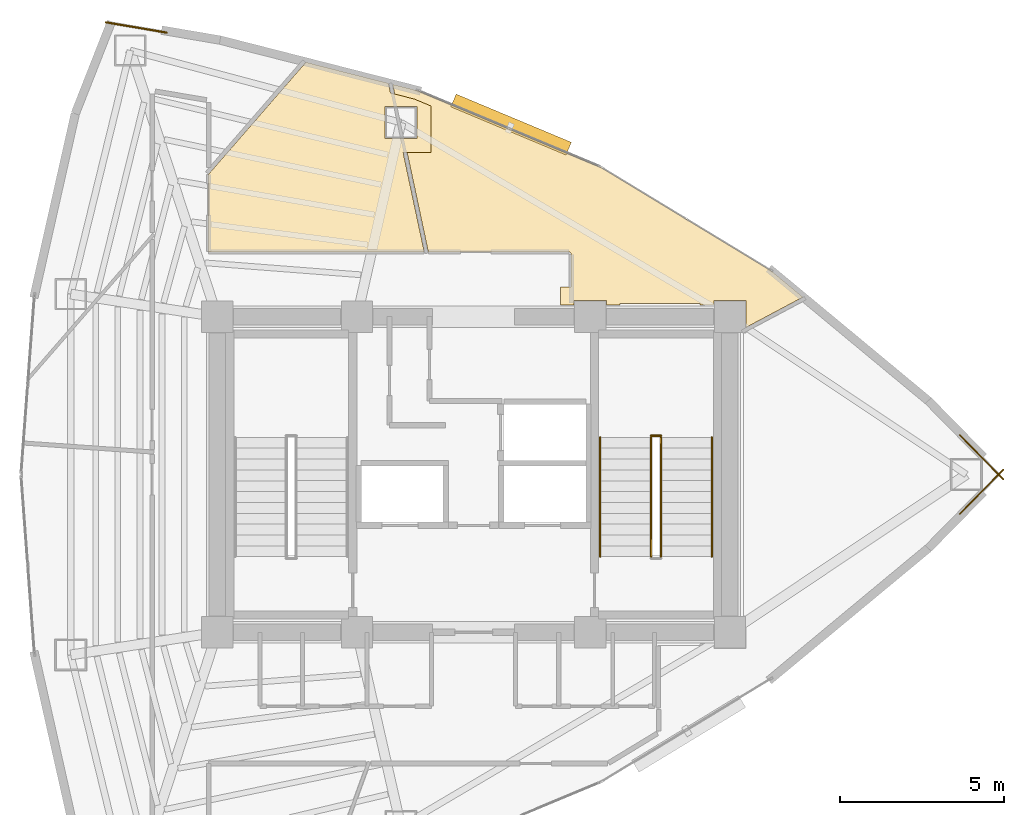
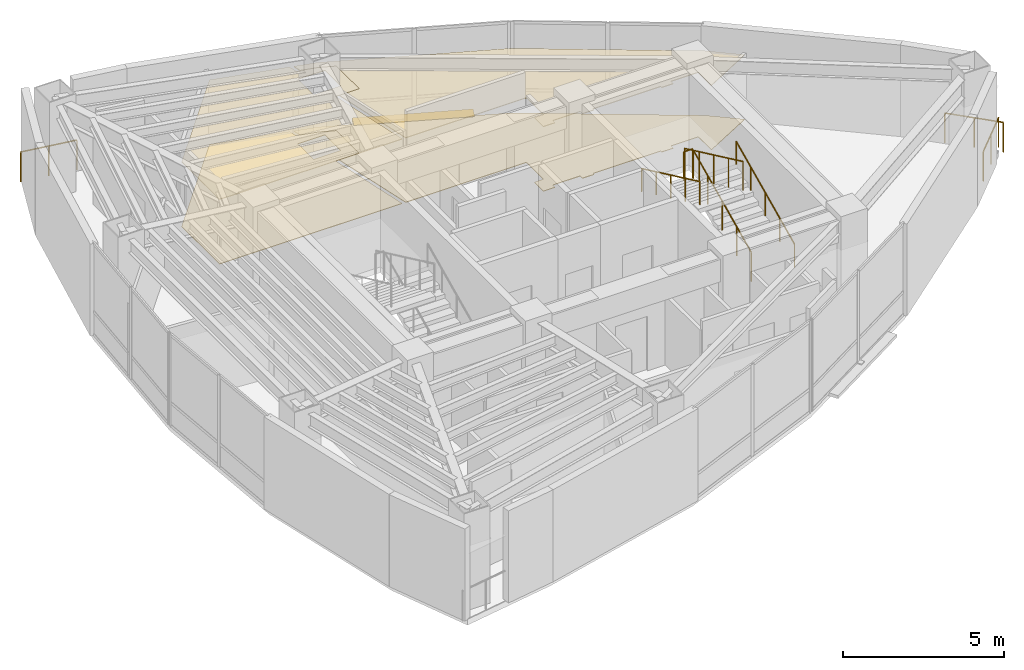
# One storey, part 15 of 15: 8 railings, 4 coverings, 1 shading device.
"""IFC4 building model written with IfcOpenShell, lengths in metres."""

from ifc_helpers import new_model, si_unit, direction, frame, origin, origin_2d, place, context, subcontext, project, spatial, polyline, rectangle, circle, outline, extrude, material, layer, layer_set, type_object, element, save


model = new_model("IFC4")

# Units and contexts
model_context = context("Model", 3, precision=1e-05, world=origin(), true_north=direction((0.0, 1.0)))
body_context = subcontext(model_context, "Body", "Model", "MODEL_VIEW")
ifc_project = project(units=[si_unit("LENGTHUNIT", "METRE"), si_unit("AREAUNIT", "SQUARE_METRE"), si_unit("VOLUMEUNIT", "CUBIC_METRE"), si_unit("PLANEANGLEUNIT", "RADIAN"), si_unit("MASSUNIT", "GRAM", prefix="KILO")], contexts=[model_context])

# Site, building, storey
site_placement = place(None, origin())
site = spatial("IfcSite", under=ifc_project, at=site_placement, CompositionType="ELEMENT")
building_placement = place(site_placement, origin())
building = spatial("IfcBuilding", under=site, at=building_placement, Name="Menara Vayukalpa", CompositionType="ELEMENT")
storey_placement = place(building_placement, frame((0.0, 0.0, 223.260009765625)))
storey = spatial("IfcBuildingStorey", under=building, at=storey_placement, Name="L56", CompositionType="ELEMENT", Elevation=223.260009765625)

# Coverings
ifc_material_1 = material(Name="Mineral Fibre Acoustic Ceiling Tile", Category="masonry")
ifc_layer_1 = layer(ifc_material_1, 0.02490234375)
ifc_layer_set_1 = layer_set([ifc_layer_1], Name="Mineral Fibre Acoustic Ceiling Tile")
covering_type_1 = type_object("IfcCoveringType", Name="COV-CLG1", PredefinedType="CEILING", material=ifc_layer_set_1)
covering_1_placement = place(storey_placement, frame((0.0, 0.0, 2.449951171875)))
element("IfcCovering", 1, at=covering_1_placement, inside=storey, type_object=covering_type_1, Name="L56 Operations Support Office Acoustic Ceiling", PredefinedType="CEILING", context=body_context, shape_type="SweptSolid", body=[
    extrude(outline(polyline([(29.639892578125, 27.14990234375), (29.639892578125, 27.2900390625), (28.659912109375, 27.2900390625), (28.659912109375, 27.14990234375), (28.239990234375, 27.14990234375), (28.239990234375, 27.7099609375), (28.570068359375, 27.7099609375), (28.570068359375, 28.69970703125), (28.569580078125, 28.706787109375), (28.568603515625, 28.713623046875), (28.56689453125, 28.72021484375), (28.564697265625, 28.726806640625), (28.561767578125, 28.73291015625), (28.55810546875, 28.73876953125), (28.553955078125, 28.744384765625), (28.549560546875, 28.74951171875), (28.54443359375, 28.75390625), (28.538818359375, 28.75830078125), (28.532958984375, 28.76171875), (28.52685546875, 28.7646484375), (28.520263671875, 28.76708984375), (28.513671875, 28.768798828125), (28.5068359375, 28.76953125), (28.499755859375, 28.77001953125), (24.23046875, 28.77001953125), (24.2294921875, 28.77001953125), (24.228515625, 28.770263671875), (24.2275390625, 28.7705078125), (24.2265625, 28.770751953125), (24.2255859375, 28.771240234375), (24.224853515625, 28.771728515625), (24.22412109375, 28.772216796875), (24.223388671875, 28.77294921875), (24.22265625, 28.773681640625), (24.22216796875, 28.7744140625), (24.2216796875, 28.775146484375), (24.22119140625, 28.776123046875), (24.220947265625, 28.777099609375), (24.220703125, 28.77783203125), (23.57861328125, 31.79833984375), (22.4794921875, 31.79833984375), (22.4794921875, 33.618408203125), (23.03076171875, 33.618408203125), (23.200927734375, 33.574951171875), (23.1416015625, 33.853759765625), (23.1416015625, 33.854736328125), (23.1416015625, 33.855712890625), (23.1416015625, 33.856689453125), (23.1416015625, 33.857666015625), (23.141845703125, 33.858642578125), (23.14208984375, 33.859619140625), (23.142578125, 33.8603515625), (23.14306640625, 33.861083984375), (23.1435546875, 33.862060546875), (23.144287109375, 33.86279296875), (23.14501953125, 33.86328125), (23.145751953125, 33.864013671875), (23.146484375, 33.864501953125), (23.1474609375, 33.864990234375), (23.148193359375, 33.865478515625), (23.149169921875, 33.865478515625), (23.150146484375, 33.86572265625), (23.151123046875, 33.865966796875), (23.152099609375, 33.865966796875), (23.153076171875, 33.86572265625), (23.154052734375, 33.865478515625), (23.884765625, 33.67919921875), (23.885986328125, 33.6787109375), (29.478515625, 31.33935546875), (29.479248046875, 31.339111328125), (29.47998046875, 31.338623046875), (34.660888671875, 28.19140625), (34.662109375, 28.190673828125), (35.60888671875, 27.405517578125), (35.609619140625, 27.40478515625), (35.6103515625, 27.404052734375), (35.61083984375, 27.4033203125), (35.611328125, 27.40234375), (35.61181640625, 27.401611328125), (35.6123046875, 27.400634765625), (35.6123046875, 27.399658203125), (35.612548828125, 27.398681640625), (35.612548828125, 27.397705078125), (35.612548828125, 27.396728515625), (35.6123046875, 27.395751953125), (35.6123046875, 27.394775390625), (35.61181640625, 27.393798828125), (35.611328125, 27.39306640625), (35.61083984375, 27.39208984375), (35.6103515625, 27.391357421875), (35.609619140625, 27.390625), (35.60888671875, 27.389892578125), (35.608154296875, 27.389404296875), (35.607421875, 27.388916015625), (33.889892578125, 26.475830078125), (33.889892578125, 27.2900390625), (32.909912109375, 27.2900390625), (32.909912109375, 27.14990234375), (32.489990234375, 27.14990234375), (32.489990234375, 27.2099609375), (30.06005859375, 27.2099609375), (30.06005859375, 27.14990234375), (29.639892578125, 27.14990234375)]), holes=[polyline([(23.87939453125, 33.198486328125), (22.8994140625, 33.198486328125), (22.8994140625, 32.218505859375), (23.87939453125, 32.218505859375), (23.87939453125, 33.198486328125)])]), origin(), (0.0, 0.0, 1.0), 0.025146484375),
])
covering_2_placement = place(storey_placement, frame((0.0, 0.0, 2.449951171875)))
element("IfcCovering", 2, at=covering_2_placement, inside=storey, type_object=covering_type_1, Name="L56 Operations Support Office Acoustic Ceiling", PredefinedType="CEILING", context=body_context, shape_type="SweptSolid", body=[
    extrude(outline(polyline([(23.00439453125, 33.903564453125), (23.00537109375, 33.903076171875), (23.006103515625, 33.902587890625), (23.0068359375, 33.902099609375), (23.007568359375, 33.9013671875), (23.008056640625, 33.900634765625), (23.0087890625, 33.89990234375), (23.009033203125, 33.89892578125), (23.009521484375, 33.898193359375), (23.009765625, 33.897216796875), (23.010009765625, 33.896240234375), (23.01025390625, 33.895263671875), (23.0712890625, 33.608154296875), (23.799560546875, 33.42236328125), (24.29931640625, 33.21337890625), (24.29931640625, 31.79833984375), (23.455810546875, 31.79833984375), (24.09716796875, 28.781982421875), (24.09716796875, 28.781005859375), (24.097412109375, 28.780029296875), (24.097412109375, 28.779052734375), (24.09716796875, 28.778076171875), (24.096923828125, 28.777099609375), (24.0966796875, 28.7763671875), (24.09619140625, 28.775390625), (24.095703125, 28.7744140625), (24.09521484375, 28.773681640625), (24.094482421875, 28.77294921875), (24.09375, 28.772216796875), (24.093017578125, 28.771728515625), (24.092041015625, 28.771240234375), (24.09130859375, 28.770751953125), (24.090087890625, 28.7705078125), (24.08935546875, 28.770263671875), (24.08837890625, 28.77001953125), (24.08740234375, 28.77001953125), (17.5400390625, 28.77001953125), (17.5390625, 28.77001953125), (17.5380859375, 28.770263671875), (17.537109375, 28.7705078125), (17.5361328125, 28.770751953125), (17.535400390625, 28.771240234375), (17.534423828125, 28.771728515625), (17.53369140625, 28.772216796875), (17.532958984375, 28.77294921875), (17.5322265625, 28.773681640625), (17.53173828125, 28.7744140625), (17.53125, 28.775390625), (17.53076171875, 28.776123046875), (17.530517578125, 28.777099609375), (17.5302734375, 28.778076171875), (17.530029296875, 28.779052734375), (17.530029296875, 28.780029296875), (17.530029296875, 31.125), (17.530029296875, 31.125732421875), (17.5302734375, 31.126708984375), (17.530517578125, 31.127685546875), (17.53076171875, 31.128662109375), (17.531005859375, 31.12939453125), (17.531494140625, 31.130126953125), (17.531982421875, 31.131103515625), (17.53271484375, 31.131591796875), (17.535400390625, 31.134521484375), (20.492919921875, 34.536865234375), (20.493896484375, 34.537841796875), (20.494384765625, 34.53857421875), (20.4951171875, 34.539306640625), (20.495849609375, 34.539794921875), (20.49658203125, 34.540283203125), (20.49755859375, 34.541015625), (20.498291015625, 34.541259765625), (20.49951171875, 34.54150390625), (20.500244140625, 34.541748046875), (20.501220703125, 34.541748046875), (20.502197265625, 34.541748046875), (20.503173828125, 34.541748046875), (20.504150390625, 34.54150390625), (23.002685546875, 33.904296875), (23.003662109375, 33.90380859375), (23.00439453125, 33.903564453125)]), holes=[polyline([(23.87939453125, 33.198486328125), (22.8994140625, 33.198486328125), (22.8994140625, 32.218505859375), (23.87939453125, 32.218505859375), (23.87939453125, 33.198486328125)])]), origin(), (0.0, 0.0, 1.0), 0.025146484375),
])
ifc_material_2 = material(Name="Porcelain Stoneware Floor Tile", Category="masonry")
ifc_layer_2 = layer(ifc_material_2, 0.02001953125)
ifc_layer_set_2 = layer_set([ifc_layer_2], Name="Porcelain Stoneware Floor Tile")
covering_type_2 = type_object("IfcCoveringType", Name="COV-FLR1", PredefinedType="FLOORING", material=ifc_layer_set_2)
covering_3_placement = place(storey_placement, origin())
element("IfcCovering", 3, at=covering_3_placement, inside=storey, type_object=covering_type_2, Name="L56 Operations Support Office Porcelain Flooring", PredefinedType="FLOORING", context=body_context, shape_type="SweptSolid", body=[
    extrude(outline(polyline([(29.639892578125, 27.14990234375), (29.639892578125, 27.2900390625), (28.659912109375, 27.2900390625), (28.659912109375, 27.14990234375), (28.239990234375, 27.14990234375), (28.239990234375, 27.7099609375), (28.570068359375, 27.7099609375), (28.570068359375, 28.69970703125), (28.569580078125, 28.706787109375), (28.568603515625, 28.713623046875), (28.56689453125, 28.72021484375), (28.564697265625, 28.726806640625), (28.561767578125, 28.73291015625), (28.55810546875, 28.73876953125), (28.553955078125, 28.744384765625), (28.549560546875, 28.74951171875), (28.54443359375, 28.75390625), (28.538818359375, 28.75830078125), (28.532958984375, 28.76171875), (28.52685546875, 28.7646484375), (28.520263671875, 28.76708984375), (28.513671875, 28.768798828125), (28.5068359375, 28.76953125), (28.499755859375, 28.77001953125), (24.23046875, 28.77001953125), (24.2294921875, 28.77001953125), (24.228515625, 28.770263671875), (24.2275390625, 28.7705078125), (24.2265625, 28.770751953125), (24.2255859375, 28.771240234375), (24.224853515625, 28.771728515625), (24.22412109375, 28.772216796875), (24.223388671875, 28.77294921875), (24.22265625, 28.773681640625), (24.22216796875, 28.7744140625), (24.2216796875, 28.775146484375), (24.22119140625, 28.776123046875), (24.220947265625, 28.777099609375), (24.220703125, 28.77783203125), (23.57861328125, 31.79833984375), (22.4794921875, 31.79833984375), (22.4794921875, 33.618408203125), (23.03076171875, 33.618408203125), (23.200927734375, 33.574951171875), (23.1416015625, 33.853759765625), (23.1416015625, 33.854736328125), (23.1416015625, 33.855712890625), (23.1416015625, 33.856689453125), (23.1416015625, 33.857666015625), (23.141845703125, 33.858642578125), (23.14208984375, 33.859619140625), (23.142578125, 33.8603515625), (23.14306640625, 33.861083984375), (23.1435546875, 33.862060546875), (23.144287109375, 33.86279296875), (23.14501953125, 33.86328125), (23.145751953125, 33.864013671875), (23.146484375, 33.864501953125), (23.1474609375, 33.864990234375), (23.148193359375, 33.865478515625), (23.149169921875, 33.865478515625), (23.150146484375, 33.86572265625), (23.151123046875, 33.865966796875), (23.152099609375, 33.865966796875), (23.153076171875, 33.86572265625), (23.154052734375, 33.865478515625), (23.884765625, 33.67919921875), (23.885986328125, 33.6787109375), (29.478515625, 31.33935546875), (29.479248046875, 31.339111328125), (29.47998046875, 31.338623046875), (34.660888671875, 28.19140625), (34.662109375, 28.190673828125), (35.60888671875, 27.405517578125), (35.609619140625, 27.40478515625), (35.6103515625, 27.404052734375), (35.61083984375, 27.4033203125), (35.611328125, 27.40234375), (35.61181640625, 27.401611328125), (35.6123046875, 27.400634765625), (35.6123046875, 27.399658203125), (35.612548828125, 27.398681640625), (35.612548828125, 27.397705078125), (35.612548828125, 27.396728515625), (35.6123046875, 27.395751953125), (35.6123046875, 27.394775390625), (35.61181640625, 27.393798828125), (35.611328125, 27.39306640625), (35.61083984375, 27.39208984375), (35.6103515625, 27.391357421875), (35.609619140625, 27.390625), (35.60888671875, 27.389892578125), (35.608154296875, 27.389404296875), (35.607421875, 27.388916015625), (33.889892578125, 26.475830078125), (33.889892578125, 27.2900390625), (32.909912109375, 27.2900390625), (32.909912109375, 27.14990234375), (32.489990234375, 27.14990234375), (32.489990234375, 27.2099609375), (30.06005859375, 27.2099609375), (30.06005859375, 27.14990234375), (29.639892578125, 27.14990234375)]), holes=[polyline([(23.87939453125, 33.198486328125), (22.8994140625, 33.198486328125), (22.8994140625, 32.218505859375), (23.87939453125, 32.218505859375), (23.87939453125, 33.198486328125)])]), origin(), (0.0, 0.0, 1.0), 0.02001953125),
])
covering_4_placement = place(storey_placement, origin())
element("IfcCovering", 4, at=covering_4_placement, inside=storey, type_object=covering_type_2, Name="L56 Operations Support Office Porcelain Flooring", PredefinedType="FLOORING", context=body_context, shape_type="SweptSolid", body=[
    extrude(outline(polyline([(23.00439453125, 33.903564453125), (23.00537109375, 33.903076171875), (23.006103515625, 33.902587890625), (23.0068359375, 33.902099609375), (23.007568359375, 33.9013671875), (23.008056640625, 33.900634765625), (23.0087890625, 33.89990234375), (23.009033203125, 33.89892578125), (23.009521484375, 33.898193359375), (23.009765625, 33.897216796875), (23.010009765625, 33.896240234375), (23.01025390625, 33.895263671875), (23.0712890625, 33.608154296875), (23.799560546875, 33.42236328125), (24.29931640625, 33.21337890625), (24.29931640625, 31.79833984375), (23.455810546875, 31.79833984375), (24.09716796875, 28.781982421875), (24.09716796875, 28.781005859375), (24.097412109375, 28.780029296875), (24.097412109375, 28.779052734375), (24.09716796875, 28.778076171875), (24.096923828125, 28.777099609375), (24.0966796875, 28.7763671875), (24.09619140625, 28.775390625), (24.095703125, 28.7744140625), (24.09521484375, 28.773681640625), (24.094482421875, 28.77294921875), (24.09375, 28.772216796875), (24.093017578125, 28.771728515625), (24.092041015625, 28.771240234375), (24.09130859375, 28.770751953125), (24.090087890625, 28.7705078125), (24.08935546875, 28.770263671875), (24.08837890625, 28.77001953125), (24.08740234375, 28.77001953125), (17.5400390625, 28.77001953125), (17.5390625, 28.77001953125), (17.5380859375, 28.770263671875), (17.537109375, 28.7705078125), (17.5361328125, 28.770751953125), (17.535400390625, 28.771240234375), (17.534423828125, 28.771728515625), (17.53369140625, 28.772216796875), (17.532958984375, 28.77294921875), (17.5322265625, 28.773681640625), (17.53173828125, 28.7744140625), (17.53125, 28.775390625), (17.53076171875, 28.776123046875), (17.530517578125, 28.777099609375), (17.5302734375, 28.778076171875), (17.530029296875, 28.779052734375), (17.530029296875, 28.780029296875), (17.530029296875, 31.125), (17.530029296875, 31.125732421875), (17.5302734375, 31.126708984375), (17.530517578125, 31.127685546875), (17.53076171875, 31.128662109375), (17.531005859375, 31.12939453125), (17.531494140625, 31.130126953125), (17.531982421875, 31.131103515625), (17.53271484375, 31.131591796875), (17.535400390625, 31.134521484375), (20.492919921875, 34.536865234375), (20.493896484375, 34.537841796875), (20.494384765625, 34.53857421875), (20.4951171875, 34.539306640625), (20.495849609375, 34.539794921875), (20.49658203125, 34.540283203125), (20.49755859375, 34.541015625), (20.498291015625, 34.541259765625), (20.49951171875, 34.54150390625), (20.500244140625, 34.541748046875), (20.501220703125, 34.541748046875), (20.502197265625, 34.541748046875), (20.503173828125, 34.541748046875), (20.504150390625, 34.54150390625), (23.002685546875, 33.904296875), (23.003662109375, 33.90380859375), (23.00439453125, 33.903564453125)]), holes=[polyline([(23.87939453125, 33.198486328125), (22.8994140625, 33.198486328125), (22.8994140625, 32.218505859375), (23.87939453125, 32.218505859375), (23.87939453125, 33.198486328125)])]), origin(), (0.0, 0.0, 1.0), 0.02001953125),
])

# Railings
ifc_material_3 = material(Name="Laminated Glass and Stainless Steel 316 Guardrail", Category="steel")
railing_type_1 = type_object("IfcRailingType", Name="RLG-EXT115", PredefinedType="GUARDRAIL", material=ifc_material_3)
railing_1_placement = place(storey_placement, frame((40.392333984375, 20.800048828125, 0.0)))
element("IfcRailing", 5, at=railing_1_placement, inside=storey, type_object=railing_type_1, Name="L56 Column Corner Spandrel Guardrail 01-1", PredefinedType="GUARDRAIL", context=body_context, shape_type="SweptSolid", body=[
    extrude(circle(Radius=0.02392578125, at=origin_2d()), frame((0.0, 0.0, 1.1259765625), z_axis=(0.700555409966, 0.713598008382, 0.0), x_axis=(-0.713598008382, 0.700555409966, 0.0)), (0.0, 0.0, 1.0), 1.890625),
    extrude(circle(Radius=0.02099609375, at=origin_2d()), origin(), (0.0, 0.0, 1.0), 1.101806640625),
    extrude(circle(Radius=0.02099609375, at=origin_2d()), frame((0.662109375, 0.674560546875, 0.0)), (0.0, 0.0, 1.0), 1.101806640625),
    extrude(circle(Radius=0.02099609375, at=origin_2d()), frame((1.324462890625, 1.34912109375, 0.0)), (0.0, 0.0, 1.0), 1.101806640625),
])
railing_2_placement = place(storey_placement, frame((41.716796875, 21.850830078125, 0.0)))
element("IfcRailing", 6, at=railing_2_placement, inside=storey, type_object=railing_type_1, Name="L56 Column Corner Spandrel Guardrail 02-1", PredefinedType="GUARDRAIL", context=body_context, shape_type="SweptSolid", body=[
    extrude(circle(Radius=0.02392578125, at=origin_2d()), frame((0.0, 0.0, 1.1259765625), z_axis=(-0.700555409966, 0.713598008382, 0.0), x_axis=(-0.713598008382, -0.700555409966, 0.0)), (0.0, 0.0, 1.0), 1.890625),
    extrude(circle(Radius=0.02099609375, at=origin_2d()), origin(), (0.0, 0.0, 1.0), 1.101806640625),
    extrude(circle(Radius=0.02099609375, at=origin_2d()), frame((-0.662109375, 0.674560546875, 0.0)), (0.0, 0.0, 1.0), 1.101806640625),
    extrude(circle(Radius=0.02099609375, at=origin_2d()), frame((-1.324462890625, 1.34912109375, 0.0)), (0.0, 0.0, 1.0), 1.101806640625),
])
railing_3_placement = place(storey_placement, frame((16.256103515625, 35.44580078125, 0.0)))
element("IfcRailing", 7, at=railing_3_placement, inside=storey, type_object=railing_type_1, Name="L56 Column Corner Spandrel Guardrail 07-1", PredefinedType="GUARDRAIL", context=body_context, shape_type="SweptSolid", body=[
    extrude(circle(Radius=0.02392578125, at=origin_2d()), frame((0.0, 0.0, 1.1259765625), z_axis=(-0.985895107684, 0.167364382844, 0.0), x_axis=(-0.167364382844, -0.985895107684, 0.0)), (0.0, 0.0, 1.0), 1.86865234375),
    extrude(circle(Radius=0.02099609375, at=origin_2d()), origin(), (0.0, 0.0, 1.0), 1.101806640625),
    extrude(circle(Radius=0.02099609375, at=origin_2d()), frame((-0.921142578125, 0.15625, 0.0)), (0.0, 0.0, 1.0), 1.101806640625),
    extrude(circle(Radius=0.02099609375, at=origin_2d()), frame((-1.84228515625, 0.312744140625, 0.0)), (0.0, 0.0, 1.0), 1.101806640625),
])
ifc_material_4 = material(Name="Powder-Coated Galvanised Steel Guardrail", Category="steel")
railing_type_2 = type_object("IfcRailingType", Name="RLG-STG110", PredefinedType="GUARDRAIL", material=ifc_material_4)
railing_4_placement = place(storey_placement, frame((31.300048828125, 19.5, 0.155029296875)))
element("IfcRailing", 8, at=railing_4_placement, inside=storey, type_object=railing_type_2, Name="L56 ST-2 stair guard 1", PredefinedType="GUARDRAIL", context=body_context, shape_type="SweptSolid", body=[
    extrude(circle(Radius=0.02392578125, at=origin_2d()), frame((0.0, 0.0, 1.09619140625), z_axis=(0.0, 0.90511648382, 0.425163675209), x_axis=(-1.0, 0.0, 0.0)), (0.0, 0.0, 1.0), 4.010498046875),
    extrude(circle(Radius=0.02099609375, at=origin_2d()), origin(), (0.0, 0.0, 1.0), 1.072021484375),
    extrude(circle(Radius=0.02099609375, at=origin_2d()), frame((0.0, 0.907470703125, 0.42626953125)), (0.0, 0.0, 1.0), 1.072021484375),
    extrude(circle(Radius=0.02099609375, at=origin_2d()), frame((0.0, 1.81494140625, 0.8525390625)), (0.0, 0.0, 1.0), 1.072021484375),
    extrude(circle(Radius=0.02099609375, at=origin_2d()), frame((0.0, 2.722412109375, 1.27880859375)), (0.0, 0.0, 1.0), 1.072021484375),
    extrude(circle(Radius=0.02099609375, at=origin_2d()), frame((0.0, 3.6298828125, 1.705078125)), (0.0, 0.0, 1.0), 1.072021484375),
])
railing_5_placement = place(storey_placement, frame((31.31005859375, 23.179931640625, 1.860107421875)))
element("IfcRailing", 9, at=railing_5_placement, inside=storey, type_object=railing_type_2, Name="L56 ST-2 stair guard 2", PredefinedType="GUARDRAIL", context=body_context, shape_type="SweptSolid", body=[
    extrude(circle(Radius=0.02392578125, at=origin_2d()), frame((0.0, 0.0, 1.09619140625), z_axis=(-1.0, 0.0, 0.0), x_axis=(0.0, -1.0, 0.0)), (0.0, 0.0, 1.0), 0.320068359375),
    extrude(circle(Radius=0.02099609375, at=origin_2d()), origin(), (0.0, 0.0, 1.0), 1.072021484375),
    extrude(circle(Radius=0.02099609375, at=origin_2d()), frame((-0.320068359375, 0.0, 0.0)), (0.0, 0.0, 1.0), 1.072021484375),
])
railing_6_placement = place(storey_placement, frame((31.0, 23.1298828125, 2.014892578125)))
element("IfcRailing", 10, at=railing_6_placement, inside=storey, type_object=railing_type_2, Name="L56 ST-2 stair guard 3", PredefinedType="GUARDRAIL", context=body_context, shape_type="SweptSolid", body=[
    extrude(circle(Radius=0.02392578125, at=origin_2d()), frame((0.0, 0.0, 1.09619140625), z_axis=(0.0, -0.90511648382, 0.425163675209), x_axis=(1.0, 0.0, 0.0)), (0.0, 0.0, 1.0), 4.010498046875),
    extrude(circle(Radius=0.02099609375, at=origin_2d()), origin(), (0.0, 0.0, 1.0), 1.072021484375),
    extrude(circle(Radius=0.02099609375, at=origin_2d()), frame((0.0, -0.907470703125, 0.42626953125)), (0.0, 0.0, 1.0), 1.072021484375),
    extrude(circle(Radius=0.02099609375, at=origin_2d()), frame((0.0, -1.81494140625, 0.8525390625)), (0.0, 0.0, 1.0), 1.072021484375),
    extrude(circle(Radius=0.02099609375, at=origin_2d()), frame((0.0, -2.722412109375, 1.27880859375)), (0.0, 0.0, 1.0), 1.072021484375),
    extrude(circle(Radius=0.02099609375, at=origin_2d()), frame((0.0, -3.6298828125, 1.705078125)), (0.0, 0.0, 1.0), 1.072021484375),
])
ifc_material_5 = material(Name="Stainless Steel 316 Tubular Handrail", Category="steel")
railing_type_3 = type_object("IfcRailingType", Name="RLG-STH090", PredefinedType="HANDRAIL", material=ifc_material_5)
railing_7_placement = place(storey_placement, frame((32.85009765625, 19.5, 0.155029296875)))
element("IfcRailing", 11, at=railing_7_placement, inside=storey, type_object=railing_type_3, Name="L56 ST-2 stair handrail 1", PredefinedType="HANDRAIL", context=body_context, shape_type="SweptSolid", body=[
    extrude(circle(Radius=0.02392578125, at=origin_2d()), frame((0.0, 0.0, 0.8759765625), z_axis=(0.0, 0.90511648382, 0.425163675209), x_axis=(-1.0, 0.0, 0.0)), (0.0, 0.0, 1.0), 4.010498046875),
    extrude(circle(Radius=0.02099609375, at=origin_2d()), origin(), (0.0, 0.0, 1.0), 0.851806640625),
    extrude(circle(Radius=0.02099609375, at=origin_2d()), frame((0.0, 0.907470703125, 0.42626953125)), (0.0, 0.0, 1.0), 0.851806640625),
    extrude(circle(Radius=0.02099609375, at=origin_2d()), frame((0.0, 1.81494140625, 0.8525390625)), (0.0, 0.0, 1.0), 0.851806640625),
    extrude(circle(Radius=0.02099609375, at=origin_2d()), frame((0.0, 2.722412109375, 1.27880859375)), (0.0, 0.0, 1.0), 0.851806640625),
    extrude(circle(Radius=0.02099609375, at=origin_2d()), frame((0.0, 3.6298828125, 1.705078125)), (0.0, 0.0, 1.0), 0.851806640625),
])
railing_8_placement = place(storey_placement, frame((29.449951171875, 23.1298828125, 2.014892578125)))
element("IfcRailing", 12, at=railing_8_placement, inside=storey, type_object=railing_type_3, Name="L56 ST-2 stair handrail 2", PredefinedType="HANDRAIL", context=body_context, shape_type="SweptSolid", body=[
    extrude(circle(Radius=0.02392578125, at=origin_2d()), frame((0.0, 0.0, 0.8759765625), z_axis=(0.0, -0.90511648382, 0.425163675209), x_axis=(1.0, 0.0, 0.0)), (0.0, 0.0, 1.0), 4.010498046875),
    extrude(circle(Radius=0.02099609375, at=origin_2d()), origin(), (0.0, 0.0, 1.0), 0.851806640625),
    extrude(circle(Radius=0.02099609375, at=origin_2d()), frame((0.0, -0.907470703125, 0.42626953125)), (0.0, 0.0, 1.0), 0.851806640625),
    extrude(circle(Radius=0.02099609375, at=origin_2d()), frame((0.0, -1.81494140625, 0.8525390625)), (0.0, 0.0, 1.0), 0.851806640625),
    extrude(circle(Radius=0.02099609375, at=origin_2d()), frame((0.0, -2.722412109375, 1.27880859375)), (0.0, 0.0, 1.0), 0.851806640625),
    extrude(circle(Radius=0.02099609375, at=origin_2d()), frame((0.0, -3.6298828125, 1.705078125)), (0.0, 0.0, 1.0), 0.851806640625),
])

# Shading device
ifc_material_6 = material(Name="Glazed Terracotta Ceramic Baguette Extrusion", Category="masonry")
ifc_layer_3 = layer(ifc_material_6, 0.1201171875)
ifc_layer_set_3 = layer_set([ifc_layer_3], Name="Glazed Terracotta Ceramic Baguette Extrusion")
shading_device_type = type_object("IfcShadingDeviceType", Name="SHD-SS1", PredefinedType="USERDEFINED", material=ifc_layer_set_3)
shading_device_placement = place(storey_placement, frame((26.740234375, 32.6474609375, -0.10009765625), z_axis=(0.0, 0.0, 1.0), x_axis=(-0.922538089456, 0.385906042324, 0.0)))
element("IfcShadingDevice", 13, at=shading_device_placement, inside=storey, type_object=shading_device_type, Name="L56 Horizontal Terracotta Sunshade Band 05", ObjectType="SUNSHADE", PredefinedType="USERDEFINED", context=body_context, shape_type="SweptSolid", body=[
    extrude(rectangle(XDim=3.800048828125, YDim=0.419921875, at=origin_2d()), origin(), (0.0, 0.0, 1.0), 0.1201171875),
])

save(model, "model.ifc")
